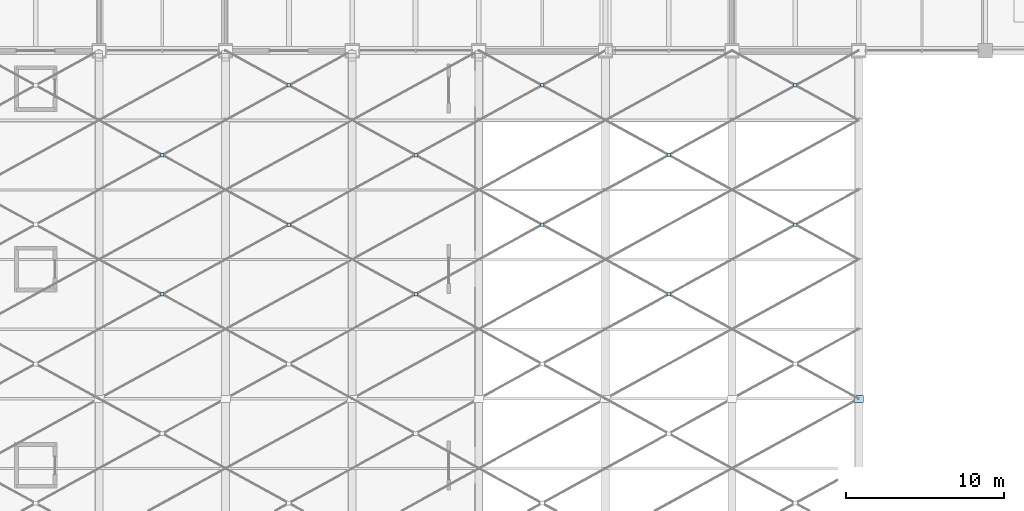
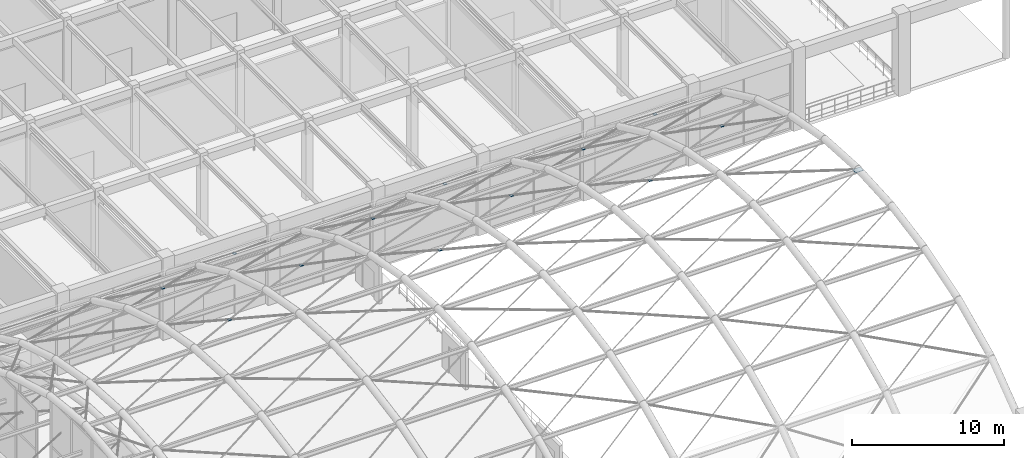
# One storey, part 126 of 163: 13 plates.
"""IFC4 building model written with IfcOpenShell, lengths in metres."""

import ifcopenshell
import ifcopenshell.guid

model = None  # the IFC model being written
_history = None  # IfcOwnerHistory: only IFC2X3 demands one
_inside = {}  # id of a spatial element -> (the spatial element, [elements in it])
_under = {}  # id of a project, library or spatial element -> (it, [spatial elements below it])
_declared = {}  # id of a project -> (the project, [libraries it declares])
_typed = {}  # id of a type object -> (the type object, [elements of that type])
_made_of = {}  # id of a material, layer set ... -> (it, [elements and type objects made of it])


def new_model(schema):
    """Start an empty IFC model of exactly this schema.

    Asked for "IFC4X3", IfcOpenShell would pick the latest addendum, in which some entities
    have other attributes; the version numbers below select the first issue.
    IFC2X3 requires an IfcOwnerHistory on every rooted entity: one is made here for all.
    """
    global model, _history
    if schema == "IFC4X3":
        model = ifcopenshell.file(schema_version=(4, 3, 0, 0))
    else:
        model = ifcopenshell.file(schema=schema)
    _inside.clear()
    _under.clear()
    _declared.clear()
    _typed.clear()
    _made_of.clear()
    _history = None
    if model.schema == "IFC2X3":
        org = make("IfcOrganization", Name="unknown")
        user = make(
            "IfcPersonAndOrganization",
            ThePerson=make("IfcPerson", FamilyName="unknown"),
            TheOrganization=org,
        )
        app = make(
            "IfcApplication",
            ApplicationDeveloper=org,
            Version="unknown",
            ApplicationFullName="unknown",
            ApplicationIdentifier="unknown",
        )
        _history = make(
            "IfcOwnerHistory",
            OwningUser=user,
            OwningApplication=app,
            ChangeAction="ADDED",
            CreationDate=0,
        )
    return model


def make(cls, **values):
    """One entity of the class cls with the attributes given. An attribute that is None is left unset."""
    return model.create_entity(
        cls, **{name: value for name, value in values.items() if value is not None}
    )


def rooted(cls, **values):
    """An entity with a GlobalId (a new one), such as an element, a storey or a relation."""
    return make(cls, GlobalId=ifcopenshell.guid.new(), OwnerHistory=_history, **values)


def si_unit(unit_type, name, prefix=None):
    """IfcSIUnit, for example si_unit("LENGTHUNIT", "METRE", prefix="MILLI")."""
    return make("IfcSIUnit", UnitType=unit_type, Prefix=prefix, Name=name)


def assignment(units):
    """IfcUnitAssignment: the units of a project."""
    return None if units is None else make("IfcUnitAssignment", Units=units)


def point(xyz):
    """IfcCartesianPoint."""
    return None if xyz is None else make("IfcCartesianPoint", Coordinates=xyz)


def direction(xyz):
    """IfcDirection."""
    return None if xyz is None else make("IfcDirection", DirectionRatios=xyz)


def frame(location, z_axis=None, x_axis=None):
    """IfcAxis2Placement3D, a coordinate frame: its origin and axes. An axis left out is left unset."""
    return make(
        "IfcAxis2Placement3D",
        Location=point(location),
        Axis=direction(z_axis),
        RefDirection=direction(x_axis),
    )


def frame_2d(location, x_axis=None):
    """IfcAxis2Placement2D, a coordinate frame in the plane: its origin and x axis."""
    return make(
        "IfcAxis2Placement2D", Location=point(location), RefDirection=direction(x_axis)
    )


def origin():
    """The frame at (0, 0, 0) with its axes left unset."""
    return frame((0.0, 0.0, 0.0))


def origin_2d():
    """The frame at (0, 0) in the plane with its x axis left unset."""
    return frame_2d((0.0, 0.0))


def place(relative_to, where):
    """IfcLocalPlacement: puts the frame where relative to a parent placement (None: the world)."""
    return make(
        "IfcLocalPlacement", PlacementRelTo=relative_to, RelativePlacement=where
    )


def context(
    kind, dimensions, precision=None, world=None, true_north=None, identifier=None
):
    """IfcGeometricRepresentationContext, for example the 3D "Model" context."""
    return make(
        "IfcGeometricRepresentationContext",
        ContextIdentifier=identifier,
        ContextType=kind,
        CoordinateSpaceDimension=dimensions,
        Precision=precision,
        WorldCoordinateSystem=world,
        TrueNorth=true_north,
    )


def subcontext(parent, identifier, kind, view, scale=None):
    """IfcGeometricRepresentationSubContext, for example "Body" below "Model"."""
    return make(
        "IfcGeometricRepresentationSubContext",
        ContextIdentifier=identifier,
        ContextType=kind,
        ParentContext=parent,
        TargetScale=scale,
        TargetView=view,
    )


def project(units=None, contexts=None):
    """IfcProject with its units and contexts."""
    return rooted(
        "IfcProject",
        Name="project",
        RepresentationContexts=contexts,
        UnitsInContext=assignment(units),
    )


def spatial(cls, under=None, at=None, **own):
    """A site, building, storey or space (cls), placed at a placement, below another one or the project."""
    s = rooted(cls, ObjectPlacement=at, **own)
    if under is not None:
        _under.setdefault(under.id(), (under, []))[1].append(s)
    return s


def profile(cls, at=None, kind="AREA", **sizes):
    """A parametric profile (cls). Its sizes go by their IFC names, for example OverallWidth=200.0."""
    return make(cls, ProfileType=kind, Position=at, **sizes)


def rectangle(**sizes):
    """IfcRectangleProfileDef."""
    return profile("IfcRectangleProfileDef", **sizes)


def extrude(swept, where, along, depth):
    """IfcExtrudedAreaSolid: the profile swept, set in the frame where, extruded along a direction by depth."""
    return make(
        "IfcExtrudedAreaSolid",
        SweptArea=swept,
        Position=where,
        ExtrudedDirection=direction(along),
        Depth=depth,
    )


def shape(context_of_items, identifier, shape_type, items):
    """IfcShapeRepresentation: the items that make up one representation, for example the "Body"."""
    return make(
        "IfcShapeRepresentation",
        ContextOfItems=context_of_items,
        RepresentationIdentifier=identifier,
        RepresentationType=shape_type,
        Items=items,
    )


def material(Name=None, Category=None):
    """IfcMaterial."""
    return make("IfcMaterial", Name=Name, Category=Category)


def layer(
    of_material, thickness, ventilated=None, Name=None, Category=None, Priority=None
):
    """IfcMaterialLayer: one layer of a wall or slab, of a material (None: an air gap)."""
    return make(
        "IfcMaterialLayer",
        Material=of_material,
        LayerThickness=thickness,
        IsVentilated=ventilated,
        Name=Name,
        Category=Category,
        Priority=Priority,
    )


def layer_set(layers, Name=None):
    """IfcMaterialLayerSet."""
    return make("IfcMaterialLayerSet", MaterialLayers=layers, LayerSetName=Name)


def made_of(thing, what):
    """Note that an element or type object is made of a material, layer set ...; save() writes the relation."""
    if what is not None:
        _made_of.setdefault(what.id(), (what, []))[1].append(thing)
    return thing


def type_object(cls, material=None, **own):
    """A type object (cls), such as IfcWallType, which elements share."""
    return made_of(rooted(cls, **own), material)


def element(
    cls,
    number,
    at=None,
    inside=None,
    cuts=None,
    type_object=None,
    material=None,
    context=None,
    identifier="Body",
    shape_type=None,
    held_by="IfcProductDefinitionShape",
    body=None,
    shapes=None,
    **own,
):
    """One element of the class cls, such as IfcWall. Its Tag is "e" and its number.

    at: its placement. inside: the storey or other place that contains it. cuts: it is an
    opening in that element (IfcRelVoidsElement). A single representation is given by context,
    identifier, shape_type and body (its items); several are given by shapes. held_by: the class
    of the entity that holds the representations. save() writes the other relations.
    """
    e = rooted(cls, Tag="e%d" % number, ObjectPlacement=at, **own)
    if body is not None:
        shapes = [shape(context, identifier, shape_type, body)]
    if shapes is not None:
        e.Representation = make(held_by, Representations=shapes)
    if inside is not None:
        _inside.setdefault(inside.id(), (inside, []))[1].append(e)
    if cuts is not None:
        rooted(
            "IfcRelVoidsElement", RelatingBuildingElement=cuts, RelatedOpeningElement=e
        )
    if type_object is not None:
        _typed.setdefault(type_object.id(), (type_object, []))[1].append(e)
    return made_of(e, material)


def aggregate(whole, parts):
    """IfcRelAggregates: a whole, such as a stair, and the parts it consists of."""
    return rooted("IfcRelAggregates", RelatingObject=whole, RelatedObjects=parts)


def save(model, path):
    """Write the relations noted so far, then the file.

    IfcRelAggregates (storeys below a building ...), IfcRelContainedInSpatialStructure (elements
    in a storey), IfcRelDefinesByType, IfcRelAssociatesMaterial and IfcRelDeclares: one each for
    every whole, place, type object, material and project.
    """
    for whole, parts in _under.values():
        aggregate(whole, parts)
    for where, things in _inside.values():
        rooted(
            "IfcRelContainedInSpatialStructure",
            RelatedElements=things,
            RelatingStructure=where,
        )
    for kind, things in _typed.values():
        rooted("IfcRelDefinesByType", RelatedObjects=things, RelatingType=kind)
    for what, things in _made_of.values():
        rooted("IfcRelAssociatesMaterial", RelatedObjects=things, RelatingMaterial=what)
    for by, libraries in _declared.values():
        rooted("IfcRelDeclares", RelatingContext=by, RelatedDefinitions=libraries)
    model.write(path)


model = new_model("IFC4")

# Units and contexts
model_context = context("Model", 3, precision=1e-05, world=origin(), true_north=direction((0.0, 1.0)))
body_context = subcontext(model_context, "Body", "Model", "MODEL_VIEW")
ifc_project = project(units=[si_unit("LENGTHUNIT", "METRE"), si_unit("AREAUNIT", "SQUARE_METRE"), si_unit("VOLUMEUNIT", "CUBIC_METRE"), si_unit("PLANEANGLEUNIT", "RADIAN"), si_unit("MASSUNIT", "GRAM", prefix="KILO")], contexts=[model_context])

# Site, building, storey
site_placement = place(None, origin())
site = spatial("IfcSite", under=ifc_project, at=site_placement, CompositionType="ELEMENT")
building_placement = place(site_placement, origin())
building = spatial("IfcBuilding", under=site, at=building_placement, Name="Varnabhumi Central Station", CompositionType="ELEMENT")
storey_placement = place(building_placement, frame((0.0, 0.0, 9.60009765625)))
storey = spatial("IfcBuildingStorey", under=building, at=storey_placement, Name="L02", CompositionType="ELEMENT", Elevation=9.60009765625)

# Plates
ifc_material = material(Name="Structural steel E450", Category="steel")
ifc_layer = layer(ifc_material, 0.035888671875, Name="Structural steel E450", Category="steel")
ifc_layer_set = layer_set([ifc_layer], Name="Structural steel E450")
plate_type = type_object("IfcPlateType", Name="PLT-CLEVIS-C", PredefinedType="SHEET", material=ifc_layer_set)
plate_placement = place(storey_placement, frame((136.0, 58.0, 12.61181640625), z_axis=(0.0, 0.0, 1.0), x_axis=(1.0, 0.0, 0.0)))
element("IfcPlate", 1, at=plate_placement, inside=storey, type_object=plate_type, Name="Departure Concourse Vault Crown Cable Clevis Plate 9", PredefinedType="SHEET", context=body_context, shape_type="SweptSolid", body=[
    extrude(rectangle(XDim=0.60009765625, YDim=0.449951171875, at=origin_2d()), origin(), (0.0, 0.0, 1.0), 0.035888671875),
])
for number, where, z_axis, x_axis, name in (
    (2, (92.0, 64.60009765625, 11.99267578125), (0.0, 0.0, 1.0), (1.0, 0.0, 0.0), "Departure Concourse Vault Cable-Net Crossing Clamp Node B3-P7"),
    (3, (92.0, 73.39990234375, 9.19921875), (0.0, 0.0, 1.0), (1.0, 0.0, 0.0), "Departure Concourse Vault Cable-Net Crossing Clamp Node B3-P9"),
    (4, (100.0, 69.0, 10.9072265625), (0.0, 0.0, 1.0), (1.0, 0.0, 0.0), "Departure Concourse Vault Cable-Net Crossing Clamp Node B4-P8"),
    (5, (100.0, 77.800048828125, 6.51611328125), (0.0, 0.0, 1.0), (1.0, 0.0, 0.0), "Departure Concourse Vault Cable-Net Crossing Clamp Node B4-P10"),
    (6, (108.0, 64.60009765625, 11.99267578125), (0.0, 0.0, 1.0), (1.0, 0.0, 0.0), "Departure Concourse Vault Cable-Net Crossing Clamp Node B5-P7"),
    (7, (108.0, 73.39990234375, 9.19921875), (0.0, 0.0, 1.0), (1.0, 0.0, 0.0), "Departure Concourse Vault Cable-Net Crossing Clamp Node B5-P9"),
    (8, (116.0, 69.0, 10.9072265625), (0.0, 0.0, 1.0), (1.0, 0.0, 0.0), "Departure Concourse Vault Cable-Net Crossing Clamp Node B6-P8"),
    (9, (116.0, 77.800048828125, 6.51611328125), (0.0, 0.0, 1.0), (1.0, 0.0, 0.0), "Departure Concourse Vault Cable-Net Crossing Clamp Node B6-P10"),
    (10, (124.0, 64.60009765625, 11.99267578125), (0.0, 0.0, 1.0), (1.0, 0.0, 0.0), "Departure Concourse Vault Cable-Net Crossing Clamp Node B7-P7"),
    (11, (124.0, 73.39990234375, 9.19921875), (0.0, 0.0, 1.0), (1.0, 0.0, 0.0), "Departure Concourse Vault Cable-Net Crossing Clamp Node B7-P9"),
    (12, (132.0, 69.0, 10.9072265625), (0.0, 0.0, 1.0), (1.0, 0.0, 0.0), "Departure Concourse Vault Cable-Net Crossing Clamp Node B8-P8"),
    (13, (132.0, 77.800048828125, 6.51611328125), (0.0, 0.0, 1.0), (1.0, 0.0, 0.0), "Departure Concourse Vault Cable-Net Crossing Clamp Node B8-P10"),
):
    element("IfcPlate", number, at=place(storey_placement, frame(where, z_axis=z_axis, x_axis=x_axis)), inside=storey, type_object=plate_type, Name=name, PredefinedType="SHEET", context=body_context, shape_type="SweptSolid", body=[
        extrude(rectangle(XDim=0.219970703125, YDim=0.219970703125, at=origin_2d()), origin(), (0.0, 0.0, 1.0), 0.028076171875),
    ])

save(model, "model.ifc")
